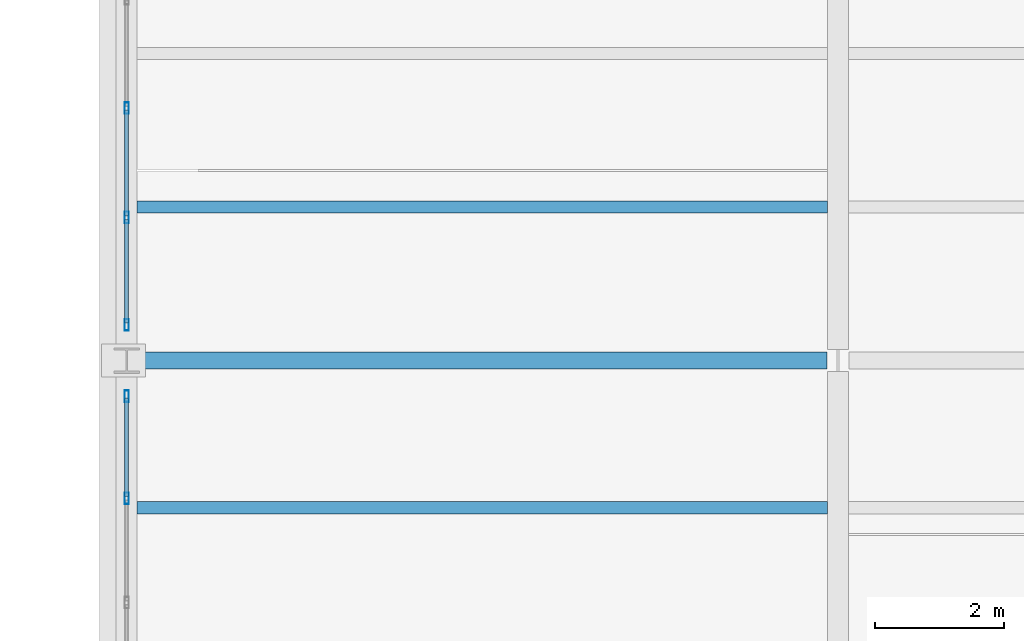
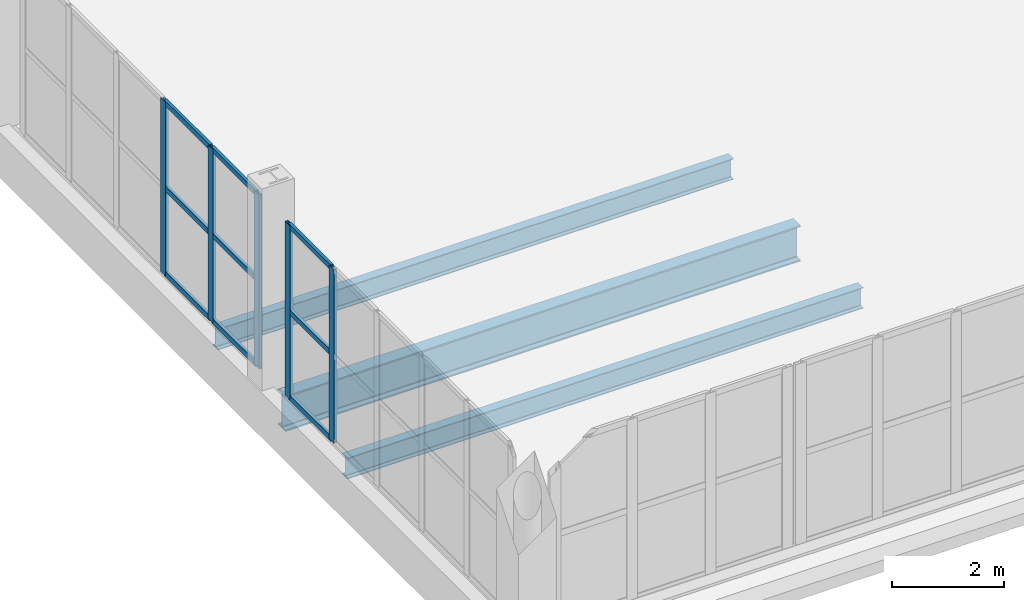
# One storey, part 19 of 156: 14 members, 3 beams, 2 elements without a shape of their own.
"""IFC4 building model written with IfcOpenShell, lengths in metres."""

import ifcopenshell
import ifcopenshell.guid

model = None  # the IFC model being written
_history = None  # IfcOwnerHistory: only IFC2X3 demands one
_inside = {}  # id of a spatial element -> (the spatial element, [elements in it])
_under = {}  # id of a project, library or spatial element -> (it, [spatial elements below it])
_declared = {}  # id of a project -> (the project, [libraries it declares])
_typed = {}  # id of a type object -> (the type object, [elements of that type])
_made_of = {}  # id of a material, layer set ... -> (it, [elements and type objects made of it])


def new_model(schema):
    """Start an empty IFC model of exactly this schema.

    Asked for "IFC4X3", IfcOpenShell would pick the latest addendum, in which some entities
    have other attributes; the version numbers below select the first issue.
    IFC2X3 requires an IfcOwnerHistory on every rooted entity: one is made here for all.
    """
    global model, _history
    if schema == "IFC4X3":
        model = ifcopenshell.file(schema_version=(4, 3, 0, 0))
    else:
        model = ifcopenshell.file(schema=schema)
    _inside.clear()
    _under.clear()
    _declared.clear()
    _typed.clear()
    _made_of.clear()
    _history = None
    if model.schema == "IFC2X3":
        org = make("IfcOrganization", Name="unknown")
        user = make(
            "IfcPersonAndOrganization",
            ThePerson=make("IfcPerson", FamilyName="unknown"),
            TheOrganization=org,
        )
        app = make(
            "IfcApplication",
            ApplicationDeveloper=org,
            Version="unknown",
            ApplicationFullName="unknown",
            ApplicationIdentifier="unknown",
        )
        _history = make(
            "IfcOwnerHistory",
            OwningUser=user,
            OwningApplication=app,
            ChangeAction="ADDED",
            CreationDate=0,
        )
    return model


def make(cls, **values):
    """One entity of the class cls with the attributes given. An attribute that is None is left unset."""
    return model.create_entity(
        cls, **{name: value for name, value in values.items() if value is not None}
    )


def rooted(cls, **values):
    """An entity with a GlobalId (a new one), such as an element, a storey or a relation."""
    return make(cls, GlobalId=ifcopenshell.guid.new(), OwnerHistory=_history, **values)


def si_unit(unit_type, name, prefix=None):
    """IfcSIUnit, for example si_unit("LENGTHUNIT", "METRE", prefix="MILLI")."""
    return make("IfcSIUnit", UnitType=unit_type, Prefix=prefix, Name=name)


def assignment(units):
    """IfcUnitAssignment: the units of a project."""
    return None if units is None else make("IfcUnitAssignment", Units=units)


def point(xyz):
    """IfcCartesianPoint."""
    return None if xyz is None else make("IfcCartesianPoint", Coordinates=xyz)


def direction(xyz):
    """IfcDirection."""
    return None if xyz is None else make("IfcDirection", DirectionRatios=xyz)


def frame(location, z_axis=None, x_axis=None):
    """IfcAxis2Placement3D, a coordinate frame: its origin and axes. An axis left out is left unset."""
    return make(
        "IfcAxis2Placement3D",
        Location=point(location),
        Axis=direction(z_axis),
        RefDirection=direction(x_axis),
    )


def frame_2d(location, x_axis=None):
    """IfcAxis2Placement2D, a coordinate frame in the plane: its origin and x axis."""
    return make(
        "IfcAxis2Placement2D", Location=point(location), RefDirection=direction(x_axis)
    )


def origin():
    """The frame at (0, 0, 0) with its axes left unset."""
    return frame((0.0, 0.0, 0.0))


def origin_2d():
    """The frame at (0, 0) in the plane with its x axis left unset."""
    return frame_2d((0.0, 0.0))


def place(relative_to, where):
    """IfcLocalPlacement: puts the frame where relative to a parent placement (None: the world)."""
    return make(
        "IfcLocalPlacement", PlacementRelTo=relative_to, RelativePlacement=where
    )


def context(
    kind, dimensions, precision=None, world=None, true_north=None, identifier=None
):
    """IfcGeometricRepresentationContext, for example the 3D "Model" context."""
    return make(
        "IfcGeometricRepresentationContext",
        ContextIdentifier=identifier,
        ContextType=kind,
        CoordinateSpaceDimension=dimensions,
        Precision=precision,
        WorldCoordinateSystem=world,
        TrueNorth=true_north,
    )


def subcontext(parent, identifier, kind, view, scale=None):
    """IfcGeometricRepresentationSubContext, for example "Body" below "Model"."""
    return make(
        "IfcGeometricRepresentationSubContext",
        ContextIdentifier=identifier,
        ContextType=kind,
        ParentContext=parent,
        TargetScale=scale,
        TargetView=view,
    )


def project(units=None, contexts=None):
    """IfcProject with its units and contexts."""
    return rooted(
        "IfcProject",
        Name="project",
        RepresentationContexts=contexts,
        UnitsInContext=assignment(units),
    )


def spatial(cls, under=None, at=None, **own):
    """A site, building, storey or space (cls), placed at a placement, below another one or the project."""
    s = rooted(cls, ObjectPlacement=at, **own)
    if under is not None:
        _under.setdefault(under.id(), (under, []))[1].append(s)
    return s


def profile(cls, at=None, kind="AREA", **sizes):
    """A parametric profile (cls). Its sizes go by their IFC names, for example OverallWidth=200.0."""
    return make(cls, ProfileType=kind, Position=at, **sizes)


def hollow_rectangle(**sizes):
    """IfcRectangleHollowProfileDef."""
    return profile("IfcRectangleHollowProfileDef", **sizes)


def i_section(**sizes):
    """IfcIShapeProfileDef."""
    return profile("IfcIShapeProfileDef", **sizes)


def extrude(swept, where, along, depth):
    """IfcExtrudedAreaSolid: the profile swept, set in the frame where, extruded along a direction by depth."""
    return make(
        "IfcExtrudedAreaSolid",
        SweptArea=swept,
        Position=where,
        ExtrudedDirection=direction(along),
        Depth=depth,
    )


def shape(context_of_items, identifier, shape_type, items):
    """IfcShapeRepresentation: the items that make up one representation, for example the "Body"."""
    return make(
        "IfcShapeRepresentation",
        ContextOfItems=context_of_items,
        RepresentationIdentifier=identifier,
        RepresentationType=shape_type,
        Items=items,
    )


def material(Name=None, Category=None):
    """IfcMaterial."""
    return make("IfcMaterial", Name=Name, Category=Category)


def material_profile(
    of_material, cross_section, Name=None, Category=None, Priority=None
):
    """IfcMaterialProfile: a cross section and its material."""
    return make(
        "IfcMaterialProfile",
        Name=Name,
        Material=of_material,
        Profile=cross_section,
        Priority=Priority,
        Category=Category,
    )


def profile_set(profiles, Name=None, composite=None):
    """IfcMaterialProfileSet."""
    return make(
        "IfcMaterialProfileSet",
        Name=Name,
        MaterialProfiles=profiles,
        CompositeProfile=composite,
    )


def made_of(thing, what):
    """Note that an element or type object is made of a material, layer set ...; save() writes the relation."""
    if what is not None:
        _made_of.setdefault(what.id(), (what, []))[1].append(thing)
    return thing


def type_object(cls, material=None, **own):
    """A type object (cls), such as IfcWallType, which elements share."""
    return made_of(rooted(cls, **own), material)


def element(
    cls,
    number,
    at=None,
    inside=None,
    cuts=None,
    type_object=None,
    material=None,
    context=None,
    identifier="Body",
    shape_type=None,
    held_by="IfcProductDefinitionShape",
    body=None,
    shapes=None,
    **own,
):
    """One element of the class cls, such as IfcWall. Its Tag is "e" and its number.

    at: its placement. inside: the storey or other place that contains it. cuts: it is an
    opening in that element (IfcRelVoidsElement). A single representation is given by context,
    identifier, shape_type and body (its items); several are given by shapes. held_by: the class
    of the entity that holds the representations. save() writes the other relations.
    """
    e = rooted(cls, Tag="e%d" % number, ObjectPlacement=at, **own)
    if body is not None:
        shapes = [shape(context, identifier, shape_type, body)]
    if shapes is not None:
        e.Representation = make(held_by, Representations=shapes)
    if inside is not None:
        _inside.setdefault(inside.id(), (inside, []))[1].append(e)
    if cuts is not None:
        rooted(
            "IfcRelVoidsElement", RelatingBuildingElement=cuts, RelatedOpeningElement=e
        )
    if type_object is not None:
        _typed.setdefault(type_object.id(), (type_object, []))[1].append(e)
    return made_of(e, material)


def aggregate(whole, parts):
    """IfcRelAggregates: a whole, such as a stair, and the parts it consists of."""
    return rooted("IfcRelAggregates", RelatingObject=whole, RelatedObjects=parts)


def save(model, path):
    """Write the relations noted so far, then the file.

    IfcRelAggregates (storeys below a building ...), IfcRelContainedInSpatialStructure (elements
    in a storey), IfcRelDefinesByType, IfcRelAssociatesMaterial and IfcRelDeclares: one each for
    every whole, place, type object, material and project.
    """
    for whole, parts in _under.values():
        aggregate(whole, parts)
    for where, things in _inside.values():
        rooted(
            "IfcRelContainedInSpatialStructure",
            RelatedElements=things,
            RelatingStructure=where,
        )
    for kind, things in _typed.values():
        rooted("IfcRelDefinesByType", RelatedObjects=things, RelatingType=kind)
    for what, things in _made_of.values():
        rooted("IfcRelAssociatesMaterial", RelatedObjects=things, RelatingMaterial=what)
    for by, libraries in _declared.values():
        rooted("IfcRelDeclares", RelatingContext=by, RelatedDefinitions=libraries)
    model.write(path)


model = new_model("IFC4")

# Units and contexts
model_context = context("Model", 3, precision=1e-05, world=origin(), true_north=direction((0.0, 1.0)))
body_context = subcontext(model_context, "Body", "Model", "MODEL_VIEW")
ifc_project = project(units=[si_unit("LENGTHUNIT", "METRE"), si_unit("AREAUNIT", "SQUARE_METRE"), si_unit("VOLUMEUNIT", "CUBIC_METRE"), si_unit("PLANEANGLEUNIT", "RADIAN"), si_unit("MASSUNIT", "GRAM", prefix="KILO")], contexts=[model_context])

# Site, building, storey
site_placement = place(None, origin())
site = spatial("IfcSite", under=ifc_project, at=site_placement, CompositionType="ELEMENT")
building_placement = place(site_placement, origin())
building = spatial("IfcBuilding", under=site, at=building_placement, Name="Caurita Quay Ferry Terminal", CompositionType="ELEMENT")
storey_placement = place(building_placement, frame((0.0, 0.0, 5.39990234375)))
storey = spatial("IfcBuildingStorey", under=building, at=storey_placement, Name="L01", CompositionType="ELEMENT", Elevation=5.39990234375)

# Beams
ifc_material_1 = material(Name="Structural steel ASTM A992 Gr. 50", Category="steel")
ifc_material_profile_1 = material_profile(ifc_material_1, i_section(OverallWidth=0.2666015625, OverallDepth=0.77978515625, WebThickness=0.0166015625, FlangeThickness=0.030029296875, FilletRadius=0.01904296875, at=origin_2d()), Name="W30X148")
ifc_profile_set_1 = profile_set([ifc_material_profile_1], Name="Structural steel ASTM A992 Gr. 50")
beam_type_1 = type_object("IfcBeamType", Name="BM-GR-W30A", PredefinedType="BEAM", material=ifc_profile_set_1)
beam_placement = place(storey_placement, frame((0.172607421875, 43.699951171875, -0.689697265625), z_axis=(1.0, 0.0, 0.0), x_axis=(0.0, 1.0, 0.0)))
element("IfcBeam", 1, at=beam_placement, inside=storey, type_object=beam_type_1, Name="L01 Beam BM-V1-L01-X-2-437", PredefinedType="BEAM", context=body_context, shape_type="SweptSolid", body=[
    extrude(i_section(OverallWidth=0.2666015625, OverallDepth=0.77978515625, WebThickness=0.0166015625, FlangeThickness=0.030029296875, FilletRadius=0.01904296875, at=origin_2d()), origin(), (0.0, 0.0, 1.0), 10.656982421875),
])
ifc_material_profile_2 = material_profile(ifc_material_1, i_section(OverallWidth=0.1904296875, OverallDepth=0.457275390625, WebThickness=0.009033203125, FlangeThickness=0.014404296875, FilletRadius=0.0126953125, at=origin_2d()), Name="W18X50")
ifc_profile_set_2 = profile_set([ifc_material_profile_2], Name="Structural steel ASTM A992 Gr. 50")
beam_type_2 = type_object("IfcBeamType", Name="BM-JS-W18B", PredefinedType="JOIST", material=ifc_profile_set_2)
for number, where, z_axis, x_axis, name in (
    (2, (0.16259765625, 41.425048828125, -0.528564453125), (1.0, 0.0, 0.0), (0.0, 1.0, 0.0), "L01 Beam JS-V1-L01-003"),
    (3, (0.16259765625, 46.074951171875, -0.528564453125), (1.0, 0.0, 0.0), (0.0, 1.0, 0.0), "L01 Beam JS-V1-L01-004"),
):
    element("IfcBeam", number, at=place(storey_placement, frame(where, z_axis=z_axis, x_axis=x_axis)), inside=storey, type_object=beam_type_2, Name=name, PredefinedType="JOIST", context=body_context, shape_type="SweptSolid", body=[
        extrude(i_section(OverallWidth=0.1904296875, OverallDepth=0.457275390625, WebThickness=0.009033203125, FlangeThickness=0.014404296875, FilletRadius=0.0126953125, at=origin_2d()), origin(), (0.0, 0.0, 1.0), 10.6748046875),
    ])

# Curtain wall, members
ifc_material_2 = material(Name="Laminated solar-control insulated glass", Category="glass")
curtain_wall_type_1 = type_object("IfcCurtainWallType", Name="CW-SYS-11", PredefinedType="NOTDEFINED", material=ifc_material_2)
curtain_wall_1_placement = place(storey_placement, origin())
curtain_wall_1 = element("IfcCurtainWall", 4, at=curtain_wall_1_placement, inside=storey, type_object=curtain_wall_type_1, Name="Concourse Gable Curtain Wall 077", PredefinedType="NOTDEFINED")
ifc_material_3 = material(Name="Anodized aluminium 6063-T6", Category="aluminium")
ifc_material_profile_3 = material_profile(ifc_material_3, hollow_rectangle(XDim=0.06494140625, YDim=0.179931640625, WallThickness=0.00390625, at=origin_2d()), Name="ALU-MUL-65X180")
ifc_profile_set_3 = profile_set([ifc_material_profile_3], Name="Anodized aluminium 6063-T6")
member_type_1 = type_object("IfcMemberType", Name="CW-MUL-180", PredefinedType="MULLION", material=ifc_profile_set_3)
member_1_placement = place(storey_placement, frame((0.0, 41.568115234375, 0.0), z_axis=(0.0, 0.0, 1.0), x_axis=(-1.0, 0.0, 0.0)))
member_1 = element("IfcMember", 5, at=member_1_placement, type_object=member_type_1, Name="CW-GBL-077 Mullion 5", PredefinedType="MULLION", context=body_context, shape_type="SweptSolid", body=[
    extrude(hollow_rectangle(XDim=0.06494140625, YDim=0.179931640625, WallThickness=0.00390625, at=origin_2d()), origin(), (0.0, 0.0, 1.0), 3.800048828125),
])
member_2_placement = place(storey_placement, frame((0.0, 43.1474609375, 0.0), z_axis=(0.0, 0.0, 1.0), x_axis=(-1.0, 0.0, 0.0)))
member_2 = element("IfcMember", 6, at=member_2_placement, type_object=member_type_1, Name="CW-GBL-077 Mullion 6", PredefinedType="MULLION", context=body_context, shape_type="SweptSolid", body=[
    extrude(hollow_rectangle(XDim=0.06494140625, YDim=0.179931640625, WallThickness=0.00390625, at=origin_2d()), origin(), (0.0, 0.0, 1.0), 3.800048828125),
])

curtain_wall_type_2 = type_object("IfcCurtainWallType", Name="CW-SYS-12", PredefinedType="NOTDEFINED", material=ifc_material_2)
curtain_wall_2_placement = place(storey_placement, origin())
curtain_wall_2 = element("IfcCurtainWall", 7, at=curtain_wall_2_placement, inside=storey, type_object=curtain_wall_type_2, Name="Concourse Gable Curtain Wall 078", PredefinedType="NOTDEFINED")
member_3_placement = place(storey_placement, frame((0.0, 44.25244140625, 0.0), z_axis=(0.0, 0.0, 1.0), x_axis=(-1.0, 0.0, 0.0)))
member_3 = element("IfcMember", 8, at=member_3_placement, type_object=member_type_1, Name="CW-GBL-078 Mullion 1", PredefinedType="MULLION", context=body_context, shape_type="SweptSolid", body=[
    extrude(hollow_rectangle(XDim=0.06494140625, YDim=0.179931640625, WallThickness=0.00390625, at=origin_2d()), origin(), (0.0, 0.0, 1.0), 3.800048828125),
])
member_4_placement = place(storey_placement, frame((0.0, 45.912109375, 0.0), z_axis=(0.0, 0.0, 1.0), x_axis=(-1.0, 0.0, 0.0)))
member_4 = element("IfcMember", 9, at=member_4_placement, type_object=member_type_1, Name="CW-GBL-078 Mullion 2", PredefinedType="MULLION", context=body_context, shape_type="SweptSolid", body=[
    extrude(hollow_rectangle(XDim=0.06494140625, YDim=0.179931640625, WallThickness=0.00390625, at=origin_2d()), origin(), (0.0, 0.0, 1.0), 3.800048828125),
])
member_5_placement = place(storey_placement, frame((0.0, 47.60400390625, 0.0), z_axis=(0.0, 0.0, 1.0), x_axis=(-1.0, 0.0, 0.0)))
member_5 = element("IfcMember", 10, at=member_5_placement, type_object=member_type_1, Name="CW-GBL-078 Mullion 3", PredefinedType="MULLION", context=body_context, shape_type="SweptSolid", body=[
    extrude(hollow_rectangle(XDim=0.06494140625, YDim=0.179931640625, WallThickness=0.00390625, at=origin_2d()), origin(), (0.0, 0.0, 1.0), 3.800048828125),
])

# Member
ifc_material_profile_4 = material_profile(ifc_material_3, hollow_rectangle(XDim=0.06005859375, YDim=0.114990234375, WallThickness=0.00341796875, at=origin_2d()), Name="ALU-TRN-60X115")
ifc_profile_set_4 = profile_set([ifc_material_profile_4], Name="Anodized aluminium 6063-T6")
member_type_2 = type_object("IfcMemberType", Name="CW-TRN-115", PredefinedType="USERDEFINED", material=ifc_profile_set_4)
member_6_placement = place(storey_placement, frame((0.0, 41.598388671875, 0.030029296875), z_axis=(0.0, 1.0, 0.0), x_axis=(-1.0, 0.0, 0.0)))
member_6 = element("IfcMember", 11, at=member_6_placement, type_object=member_type_2, Name="CW-GBL-077 Transom 13", ObjectType="TRANSOM", PredefinedType="USERDEFINED", context=body_context, shape_type="SweptSolid", body=[
    extrude(hollow_rectangle(XDim=0.06005859375, YDim=0.114990234375, WallThickness=0.00341796875, at=origin_2d()), origin(), (0.0, 0.0, 1.0), 1.5185546875),
])

member_7_placement = place(storey_placement, frame((0.0, 41.598388671875, 1.900146484375), z_axis=(0.0, 1.0, 0.0), x_axis=(-1.0, 0.0, 0.0)))
member_7 = element("IfcMember", 12, at=member_7_placement, type_object=member_type_2, Name="CW-GBL-077 Transom 14", ObjectType="TRANSOM", PredefinedType="USERDEFINED", context=body_context, shape_type="SweptSolid", body=[
    extrude(hollow_rectangle(XDim=0.06005859375, YDim=0.114990234375, WallThickness=0.00341796875, at=origin_2d()), origin(), (0.0, 0.0, 1.0), 1.5185546875),
])

member_8_placement = place(storey_placement, frame((0.0, 41.598388671875, 3.77001953125), z_axis=(0.0, 1.0, 0.0), x_axis=(-1.0, 0.0, 0.0)))
member_8 = element("IfcMember", 13, at=member_8_placement, type_object=member_type_2, Name="CW-GBL-077 Transom 15", ObjectType="TRANSOM", PredefinedType="USERDEFINED", context=body_context, shape_type="SweptSolid", body=[
    extrude(hollow_rectangle(XDim=0.06005859375, YDim=0.114990234375, WallThickness=0.00341796875, at=origin_2d()), origin(), (0.0, 0.0, 1.0), 1.5185546875),
])

aggregate(curtain_wall_1, [member_1, member_2, member_6, member_7, member_8])

member_9_placement = place(storey_placement, frame((0.0, 44.282958984375, 0.030029296875), z_axis=(0.0, 1.0, 0.0), x_axis=(-1.0, 0.0, 0.0)))
member_9 = element("IfcMember", 14, at=member_9_placement, type_object=member_type_2, Name="CW-GBL-078 Transom 1", ObjectType="TRANSOM", PredefinedType="USERDEFINED", context=body_context, shape_type="SweptSolid", body=[
    extrude(hollow_rectangle(XDim=0.06005859375, YDim=0.114990234375, WallThickness=0.00341796875, at=origin_2d()), origin(), (0.0, 0.0, 1.0), 1.5986328125),
])

member_10_placement = place(storey_placement, frame((0.0, 44.282958984375, 1.900146484375), z_axis=(0.0, 1.0, 0.0), x_axis=(-1.0, 0.0, 0.0)))
member_10 = element("IfcMember", 15, at=member_10_placement, type_object=member_type_2, Name="CW-GBL-078 Transom 2", ObjectType="TRANSOM", PredefinedType="USERDEFINED", context=body_context, shape_type="SweptSolid", body=[
    extrude(hollow_rectangle(XDim=0.06005859375, YDim=0.114990234375, WallThickness=0.00341796875, at=origin_2d()), origin(), (0.0, 0.0, 1.0), 1.5986328125),
])

member_11_placement = place(storey_placement, frame((0.0, 44.282958984375, 3.77001953125), z_axis=(0.0, 1.0, 0.0), x_axis=(-1.0, 0.0, 0.0)))
member_11 = element("IfcMember", 16, at=member_11_placement, type_object=member_type_2, Name="CW-GBL-078 Transom 3", ObjectType="TRANSOM", PredefinedType="USERDEFINED", context=body_context, shape_type="SweptSolid", body=[
    extrude(hollow_rectangle(XDim=0.06005859375, YDim=0.114990234375, WallThickness=0.00341796875, at=origin_2d()), origin(), (0.0, 0.0, 1.0), 1.5986328125),
])

member_12_placement = place(storey_placement, frame((0.0, 45.9423828125, 0.030029296875), z_axis=(0.0, 1.0, 0.0), x_axis=(-1.0, 0.0, 0.0)))
member_12 = element("IfcMember", 17, at=member_12_placement, type_object=member_type_2, Name="CW-GBL-078 Transom 4", ObjectType="TRANSOM", PredefinedType="USERDEFINED", context=body_context, shape_type="SweptSolid", body=[
    extrude(hollow_rectangle(XDim=0.06005859375, YDim=0.114990234375, WallThickness=0.00341796875, at=origin_2d()), origin(), (0.0, 0.0, 1.0), 1.631103515625),
])

member_13_placement = place(storey_placement, frame((0.0, 45.9423828125, 1.900146484375), z_axis=(0.0, 1.0, 0.0), x_axis=(-1.0, 0.0, 0.0)))
member_13 = element("IfcMember", 18, at=member_13_placement, type_object=member_type_2, Name="CW-GBL-078 Transom 5", ObjectType="TRANSOM", PredefinedType="USERDEFINED", context=body_context, shape_type="SweptSolid", body=[
    extrude(hollow_rectangle(XDim=0.06005859375, YDim=0.114990234375, WallThickness=0.00341796875, at=origin_2d()), origin(), (0.0, 0.0, 1.0), 1.631103515625),
])

member_14_placement = place(storey_placement, frame((0.0, 45.9423828125, 3.77001953125), z_axis=(0.0, 1.0, 0.0), x_axis=(-1.0, 0.0, 0.0)))
member_14 = element("IfcMember", 19, at=member_14_placement, type_object=member_type_2, Name="CW-GBL-078 Transom 6", ObjectType="TRANSOM", PredefinedType="USERDEFINED", context=body_context, shape_type="SweptSolid", body=[
    extrude(hollow_rectangle(XDim=0.06005859375, YDim=0.114990234375, WallThickness=0.00341796875, at=origin_2d()), origin(), (0.0, 0.0, 1.0), 1.631103515625),
])

aggregate(curtain_wall_2, [member_3, member_4, member_5, member_9, member_10, member_11, member_12, member_13, member_14])

save(model, "model.ifc")
